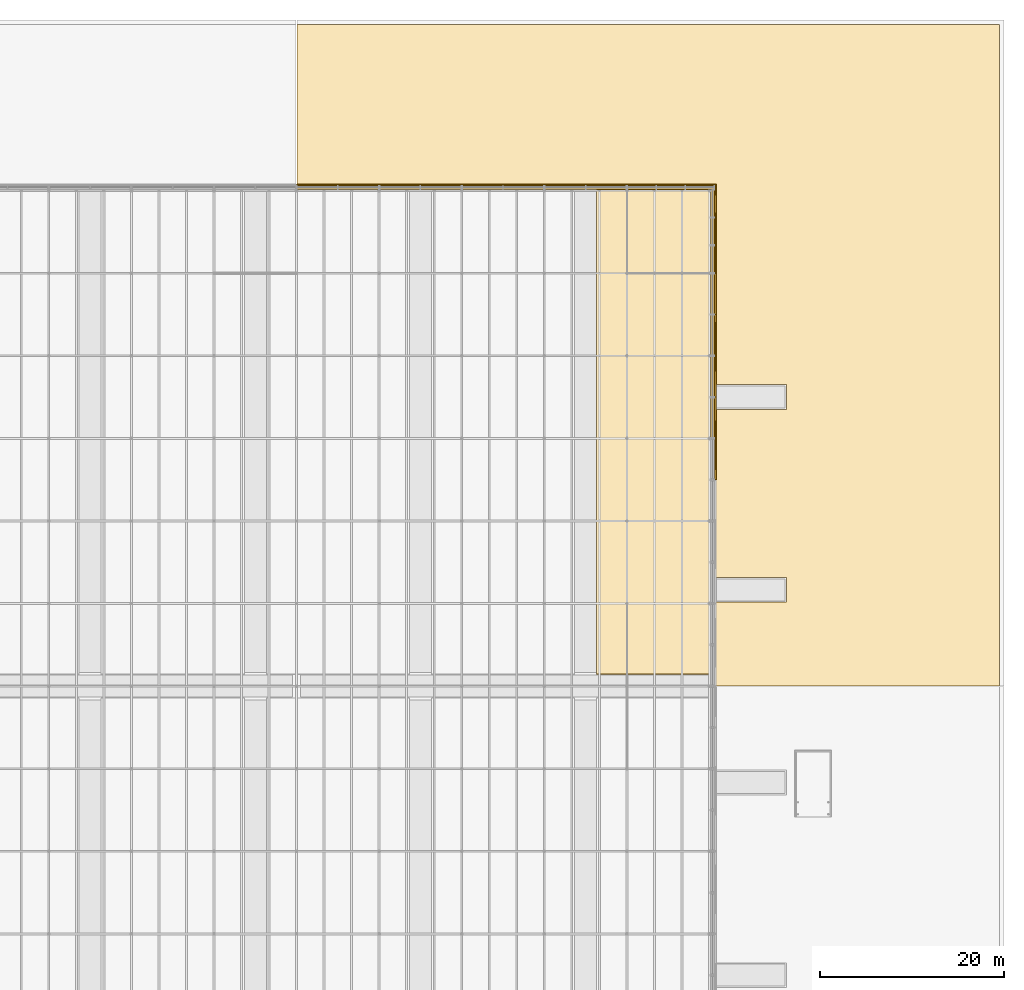
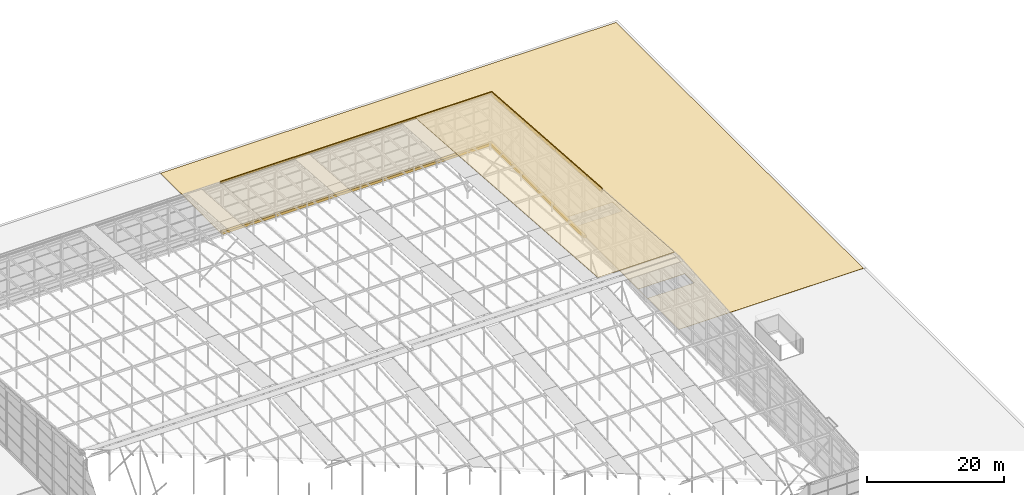
# One storey, part 84 of 84: 27 coverings.
"""IFC4 building model written with IfcOpenShell, lengths in metres."""

from ifc_helpers import new_model, si_unit, direction, frame, origin, place, context, subcontext, project, spatial, polyline, outline, extrude, material, layer, layer_set, type_object, element, save


model = new_model("IFC4")

# Units and contexts
model_context = context("Model", 3, precision=1e-05, world=origin(), true_north=direction((0.0, 1.0)))
body_context = subcontext(model_context, "Body", "Model", "MODEL_VIEW")
ifc_project = project(units=[si_unit("LENGTHUNIT", "METRE"), si_unit("AREAUNIT", "SQUARE_METRE"), si_unit("VOLUMEUNIT", "CUBIC_METRE"), si_unit("PLANEANGLEUNIT", "RADIAN"), si_unit("MASSUNIT", "GRAM", prefix="KILO")], contexts=[model_context])

# Site, building, storey
site_placement = place(None, origin())
site = spatial("IfcSite", under=ifc_project, at=site_placement, CompositionType="ELEMENT")
building_placement = place(site_placement, origin())
building = spatial("IfcBuilding", under=site, at=building_placement, Name="Silverbay Arena", CompositionType="ELEMENT")
storey_placement = place(building_placement, frame((0.0, 0.0, 47.10009765625)))
storey = spatial("IfcBuildingStorey", under=building, at=storey_placement, Name="ROOF", CompositionType="ELEMENT", Elevation=47.10009765625)

# Coverings
ifc_material_1 = material(Name="Insulated metal curb")
ifc_layer_1 = layer(ifc_material_1, 0.449951171875)
ifc_layer_set_1 = layer_set([ifc_layer_1], Name="Insulated metal curb")
covering_type_1 = type_object("IfcCoveringType", Name="Crown glazing curb 450", PredefinedType="CLADDING", material=ifc_layer_set_1)
covering_1_placement = place(storey_placement, origin())
element("IfcCovering", 1, at=covering_1_placement, inside=storey, type_object=covering_type_1, Name="CROWN GLAZING CURB north 07", PredefinedType="CLADDING", context=body_context, shape_type="SweptSolid", body=[
    extrude(outline(polyline([(135.0, 135.125), (144.0, 135.125), (144.0, 135.574951171875), (135.0, 135.574951171875), (135.0, 135.125)])), origin(), (0.0, 0.0, 1.0), 0.449951171875),
])
covering_2_placement = place(storey_placement, origin())
element("IfcCovering", 2, at=covering_2_placement, inside=storey, type_object=covering_type_1, Name="CROWN GLAZING CURB north 08", PredefinedType="CLADDING", context=body_context, shape_type="SweptSolid", body=[
    extrude(outline(polyline([(144.0, 135.125), (153.0, 135.125), (153.0, 135.574951171875), (144.0, 135.574951171875), (144.0, 135.125)])), origin(), (0.0, 0.0, 1.0), 0.449951171875),
])
covering_3_placement = place(storey_placement, origin())
element("IfcCovering", 3, at=covering_3_placement, inside=storey, type_object=covering_type_1, Name="CROWN GLAZING CURB north 09", PredefinedType="CLADDING", context=body_context, shape_type="SweptSolid", body=[
    extrude(outline(polyline([(153.0, 135.125), (162.0, 135.125), (162.0, 135.574951171875), (153.0, 135.574951171875), (153.0, 135.125)])), origin(), (0.0, 0.0, 1.0), 0.449951171875),
])
covering_4_placement = place(storey_placement, origin())
element("IfcCovering", 4, at=covering_4_placement, inside=storey, type_object=covering_type_1, Name="CROWN GLAZING CURB north 10", PredefinedType="CLADDING", context=body_context, shape_type="SweptSolid", body=[
    extrude(outline(polyline([(162.0, 135.125), (171.0, 135.125), (171.0, 135.574951171875), (162.0, 135.574951171875), (162.0, 135.125)])), origin(), (0.0, 0.0, 1.0), 0.449951171875),
])
covering_5_placement = place(storey_placement, origin())
element("IfcCovering", 5, at=covering_5_placement, inside=storey, type_object=covering_type_1, Name="CROWN GLAZING CURB north 11", PredefinedType="CLADDING", context=body_context, shape_type="SweptSolid", body=[
    extrude(outline(polyline([(171.0, 135.125), (180.574951171875, 135.125), (180.574951171875, 135.574951171875), (171.0, 135.574951171875), (171.0, 135.125)])), origin(), (0.0, 0.0, 1.0), 0.449951171875),
])
covering_6_placement = place(storey_placement, origin())
element("IfcCovering", 6, at=covering_6_placement, inside=storey, type_object=covering_type_1, Name="CROWN GLAZING CURB east 20", PredefinedType="CLADDING", context=body_context, shape_type="SweptSolid", body=[
    extrude(outline(polyline([(180.125, 108.0), (180.574951171875, 108.0), (180.574951171875, 112.5), (180.125, 112.5), (180.125, 108.0)])), origin(), (0.0, 0.0, 1.0), 0.449951171875),
])
covering_7_placement = place(storey_placement, origin())
element("IfcCovering", 7, at=covering_7_placement, inside=storey, type_object=covering_type_1, Name="CROWN GLAZING CURB east 21", PredefinedType="CLADDING", context=body_context, shape_type="SweptSolid", body=[
    extrude(outline(polyline([(180.125, 112.5), (180.574951171875, 112.5), (180.574951171875, 117.0), (180.125, 117.0), (180.125, 112.5)])), origin(), (0.0, 0.0, 1.0), 0.449951171875),
])
covering_8_placement = place(storey_placement, origin())
element("IfcCovering", 8, at=covering_8_placement, inside=storey, type_object=covering_type_1, Name="CROWN GLAZING CURB east 22", PredefinedType="CLADDING", context=body_context, shape_type="SweptSolid", body=[
    extrude(outline(polyline([(180.125, 117.0), (180.574951171875, 117.0), (180.574951171875, 121.5), (180.125, 121.5), (180.125, 117.0)])), origin(), (0.0, 0.0, 1.0), 0.449951171875),
])
covering_9_placement = place(storey_placement, origin())
element("IfcCovering", 9, at=covering_9_placement, inside=storey, type_object=covering_type_1, Name="CROWN GLAZING CURB east 23", PredefinedType="CLADDING", context=body_context, shape_type="SweptSolid", body=[
    extrude(outline(polyline([(180.125, 121.5), (180.574951171875, 121.5), (180.574951171875, 126.0), (180.125, 126.0), (180.125, 121.5)])), origin(), (0.0, 0.0, 1.0), 0.449951171875),
])
covering_10_placement = place(storey_placement, origin())
element("IfcCovering", 10, at=covering_10_placement, inside=storey, type_object=covering_type_1, Name="CROWN GLAZING CURB east 24", PredefinedType="CLADDING", context=body_context, shape_type="SweptSolid", body=[
    extrude(outline(polyline([(180.125, 126.0), (180.574951171875, 126.0), (180.574951171875, 129.041748046875), (180.125, 129.041748046875), (180.125, 126.0)])), origin(), (0.0, 0.0, 1.0), 0.449951171875),
])
covering_11_placement = place(storey_placement, origin())
element("IfcCovering", 11, at=covering_11_placement, inside=storey, type_object=covering_type_1, Name="CROWN GLAZING CURB east 25", PredefinedType="CLADDING", context=body_context, shape_type="SweptSolid", body=[
    extrude(outline(polyline([(180.125, 129.041748046875), (180.574951171875, 129.041748046875), (180.574951171875, 132.083251953125), (180.125, 132.083251953125), (180.125, 129.041748046875)])), origin(), (0.0, 0.0, 1.0), 0.449951171875),
])
covering_12_placement = place(storey_placement, origin())
element("IfcCovering", 12, at=covering_12_placement, inside=storey, type_object=covering_type_1, Name="CROWN GLAZING CURB east 26", PredefinedType="CLADDING", context=body_context, shape_type="SweptSolid", body=[
    extrude(outline(polyline([(180.125, 132.083251953125), (180.574951171875, 132.083251953125), (180.574951171875, 135.125), (180.125, 135.125), (180.125, 132.083251953125)])), origin(), (0.0, 0.0, 1.0), 0.449951171875),
])
ifc_material_2 = material(Name="Insulated metal cladding panel")
ifc_layer_2 = layer(ifc_material_2, 0.14990234375)
ifc_layer_set_2 = layer_set([ifc_layer_2], Name="Insulated metal cladding panel")
covering_type_2 = type_object("IfcCoveringType", Name="Crown lid fascia 150", PredefinedType="CLADDING", material=ifc_layer_set_2)
covering_13_placement = place(storey_placement, frame((0.0, 0.0, 8.85302734375)))
element("IfcCovering", 13, at=covering_13_placement, inside=storey, type_object=covering_type_2, Name="CROWN LID FASCIA north 07", PredefinedType="CLADDING", context=body_context, shape_type="SweptSolid", body=[
    extrude(outline(polyline([(135.0, 135.574951171875), (144.0, 135.574951171875), (144.0, 135.72509765625), (135.0, 135.72509765625), (135.0, 135.574951171875)])), origin(), (0.0, 0.0, 1.0), 0.300048828125),
])
covering_14_placement = place(storey_placement, frame((0.0, 0.0, 8.85302734375)))
element("IfcCovering", 14, at=covering_14_placement, inside=storey, type_object=covering_type_2, Name="CROWN LID FASCIA north 08", PredefinedType="CLADDING", context=body_context, shape_type="SweptSolid", body=[
    extrude(outline(polyline([(144.0, 135.574951171875), (153.0, 135.574951171875), (153.0, 135.72509765625), (144.0, 135.72509765625), (144.0, 135.574951171875)])), origin(), (0.0, 0.0, 1.0), 0.300048828125),
])
covering_15_placement = place(storey_placement, frame((0.0, 0.0, 8.85302734375)))
element("IfcCovering", 15, at=covering_15_placement, inside=storey, type_object=covering_type_2, Name="CROWN LID FASCIA north 09", PredefinedType="CLADDING", context=body_context, shape_type="SweptSolid", body=[
    extrude(outline(polyline([(153.0, 135.574951171875), (162.0, 135.574951171875), (162.0, 135.72509765625), (153.0, 135.72509765625), (153.0, 135.574951171875)])), origin(), (0.0, 0.0, 1.0), 0.300048828125),
])
covering_16_placement = place(storey_placement, frame((0.0, 0.0, 8.85302734375)))
element("IfcCovering", 16, at=covering_16_placement, inside=storey, type_object=covering_type_2, Name="CROWN LID FASCIA north 10", PredefinedType="CLADDING", context=body_context, shape_type="SweptSolid", body=[
    extrude(outline(polyline([(162.0, 135.574951171875), (171.0, 135.574951171875), (171.0, 135.72509765625), (162.0, 135.72509765625), (162.0, 135.574951171875)])), origin(), (0.0, 0.0, 1.0), 0.300048828125),
])
covering_17_placement = place(storey_placement, frame((0.0, 0.0, 8.85302734375)))
element("IfcCovering", 17, at=covering_17_placement, inside=storey, type_object=covering_type_2, Name="CROWN LID FASCIA north 11", PredefinedType="CLADDING", context=body_context, shape_type="SweptSolid", body=[
    extrude(outline(polyline([(171.0, 135.574951171875), (180.72509765625, 135.574951171875), (180.72509765625, 135.72509765625), (171.0, 135.72509765625), (171.0, 135.574951171875)])), origin(), (0.0, 0.0, 1.0), 0.300048828125),
])
for number, where, z_axis, x_axis, name in (
    (18, (180.574951171875, 103.5, 11.474853515625), (-1.0, 0.0, 0.0), (0.0, 0.997402911363, -0.072023832195), "CROWN LID FASCIA east 19"),
    (19, (180.574951171875, 108.0, 11.14990234375), (-1.0, 0.0, 0.0), (0.0, 0.997402911363, -0.072023832195), "CROWN LID FASCIA east 20"),
):
    element("IfcCovering", number, at=place(storey_placement, frame(where, z_axis=z_axis, x_axis=x_axis)), inside=storey, type_object=covering_type_2, Name=name, PredefinedType="CLADDING", context=body_context, shape_type="SweptSolid", body=[
        extrude(outline(polyline([(0.0, 0.0), (4.511717329809453, 0.0), (4.562130495557509, 0.6981333366402473), (0.05041316574805606, 0.6981333366402473), (0.0, 0.0)])), origin(), (0.0, 0.0, -1.0), 0.14990234375),
    ])
covering_18_placement = place(storey_placement, frame((180.574951171875, 112.5, 10.824951171875), z_axis=(-1.0, 0.0, 0.0), x_axis=(0.0, 0.997402911363, -0.072023832195)))
element("IfcCovering", 20, at=covering_18_placement, inside=storey, type_object=covering_type_2, Name="CROWN LID FASCIA east 21", PredefinedType="CLADDING", context=body_context, shape_type="SweptSolid", body=[
    extrude(outline(polyline([(0.0, 0.0), (4.511717329809453, 0.0), (4.562148079500916, 0.6983768432104045), (0.05041316574805606, 0.6981333366402473), (0.0, 0.0)])), origin(), (0.0, 0.0, -1.0), 0.14990234375),
])
covering_19_placement = place(storey_placement, frame((180.574951171875, 117.0, 10.5), z_axis=(-1.0, 0.0, 0.0), x_axis=(0.0, 0.997399022653, -0.072077663746)))
element("IfcCovering", 21, at=covering_19_placement, inside=storey, type_object=covering_type_2, Name="CROWN LID FASCIA east 22", PredefinedType="CLADDING", context=body_context, shape_type="SweptSolid", body=[
    extrude(outline(polyline([(0.0, 0.0), (4.511734920324107, 0.0), (4.56218576552941, 0.6981306147328424), (0.05046844229117865, 0.6983741203536072), (0.0, 0.0)])), origin(), (0.0, 0.0, -1.0), 0.14990234375),
])
covering_20_placement = place(storey_placement, frame((180.574951171875, 121.5, 10.1748046875), z_axis=(-1.0, 0.0, 0.0), x_axis=(0.0, 0.997402911363, -0.072023832195)))
element("IfcCovering", 22, at=covering_20_placement, inside=storey, type_object=covering_type_2, Name="CROWN LID FASCIA east 23", PredefinedType="CLADDING", context=body_context, shape_type="SweptSolid", body=[
    extrude(outline(polyline([(0.0, 0.0), (4.511717329809453, 0.0), (4.562130495557509, 0.6981333366402473), (0.05041316574805606, 0.6981333366402473), (0.0, 0.0)])), origin(), (0.0, 0.0, -1.0), 0.14990234375),
])
covering_21_placement = place(storey_placement, frame((180.574951171875, 126.0, 9.849853515625), z_axis=(-1.0, 0.0, 0.0), x_axis=(0.0, 0.997401079261, -0.07204919908)))
element("IfcCovering", 23, at=covering_21_placement, inside=storey, type_object=covering_type_2, Name="CROWN LID FASCIA east 24", PredefinedType="CLADDING", context=body_context, shape_type="SweptSolid", body=[
    extrude(outline(polyline([(0.0, 0.0), (3.0496739076392982, 0.0), (3.100104828967865, 0.6981320542584604), (0.050430921328566844, 0.6981320542584603), (0.0, 0.0)])), origin(), (0.0, 0.0, -1.0), 0.14990234375),
])
covering_22_placement = place(storey_placement, frame((180.574951171875, 129.041748046875, 9.630126953125), z_axis=(-1.0, 0.0, 0.0), x_axis=(0.0, 0.997406414295, -0.071975306345)))
element("IfcCovering", 24, at=covering_22_placement, inside=storey, type_object=covering_type_2, Name="CROWN LID FASCIA east 25", PredefinedType="CLADDING", context=body_context, shape_type="SweptSolid", body=[
    extrude(outline(polyline([(0.0, 0.0), (3.0494128197484387, 2.7755575615628914e-17), (3.099809591867243, 0.6983792959466782), (0.05037920002252855, 0.6981357885213133), (0.0, 0.0)])), origin(), (0.0, 0.0, -1.0), 0.14990234375),
])
covering_23_placement = place(storey_placement, frame((180.574951171875, 132.083251953125, 9.41064453125), z_axis=(-1.0, 0.0, 0.0), x_axis=(0.0, 0.997401744128, -0.072039994524)))
element("IfcCovering", 25, at=covering_23_placement, inside=storey, type_object=covering_type_2, Name="CROWN LID FASCIA east 26", PredefinedType="CLADDING", context=body_context, shape_type="SweptSolid", body=[
    extrude(outline(polyline([(0.0, 0.0), (3.500795180385178, -5.551115123125783e-17), (3.5512196589742016, 0.6981325196323481), (0.05044206647831173, 0.6983760259175356), (0.0, 0.0)])), origin(), (0.0, 0.0, -1.0), 0.14990234375),
])
ifc_material_3 = material(Name="Bituminous roofing membrane")
ifc_layer_3 = layer(ifc_material_3, 0.050048828125)
ifc_layer_set_3 = layer_set([ifc_layer_3], Name="Bituminous roofing membrane")
covering_type_3 = type_object("IfcCoveringType", Name="Crown lid membrane 50", PredefinedType="ROOFING", material=ifc_layer_set_3)
covering_24_placement = place(storey_placement, frame((167.699951171875, 82.300048828125, 13.0068359375), z_axis=(0.0, 0.072035053259, 0.997402101011), x_axis=(1.0, 0.0, 0.0)))
element("IfcCovering", 26, at=covering_24_placement, inside=storey, type_object=covering_type_3, Name="ROOFING crown lid north 16", PredefinedType="ROOFING", context=body_context, shape_type="SweptSolid", body=[
    extrude(outline(polyline([(0.0, 0.0), (12.875, 0.0), (12.875, 53.41366565172496), (0.0, 53.41366565172496), (0.0, 0.0)])), origin(), (0.0, 0.0, -1.0), 0.050048828125),
])
ifc_material_4 = material(Name="Bituminous roofing membrane")
ifc_layer_4 = layer(ifc_material_4, 0.050048828125)
ifc_layer_set_4 = layer_set([ifc_layer_4], Name="Bituminous roofing membrane")
covering_type_4 = type_object("IfcCoveringType", Name="Roof membrane 50", PredefinedType="ROOFING", material=ifc_layer_set_4)
covering_25_placement = place(storey_placement, origin())
element("IfcCovering", 27, at=covering_25_placement, inside=storey, type_object=covering_type_4, Name="ROOFING north-east", PredefinedType="ROOFING", context=body_context, shape_type="SweptSolid", body=[
    extrude(outline(polyline([(135.044921875, 153.10009765625), (135.044921875, 135.574951171875), (180.574951171875, 135.574951171875), (180.574951171875, 81.02490234375), (211.60009765625, 81.02490234375), (211.60009765625, 153.10009765625), (135.044921875, 153.10009765625)]), holes=[polyline([(180.60009765625, 90.14990234375), (180.60009765625, 92.85009765625), (188.39990234375, 92.85009765625), (188.39990234375, 90.14990234375), (180.60009765625, 90.14990234375)]), polyline([(180.60009765625, 111.14990234375), (180.60009765625, 113.85009765625), (188.39990234375, 113.85009765625), (188.39990234375, 111.14990234375), (180.60009765625, 111.14990234375)])]), origin(), (0.0, 0.0, 1.0), 0.0498046875),
])

save(model, "model.ifc")
